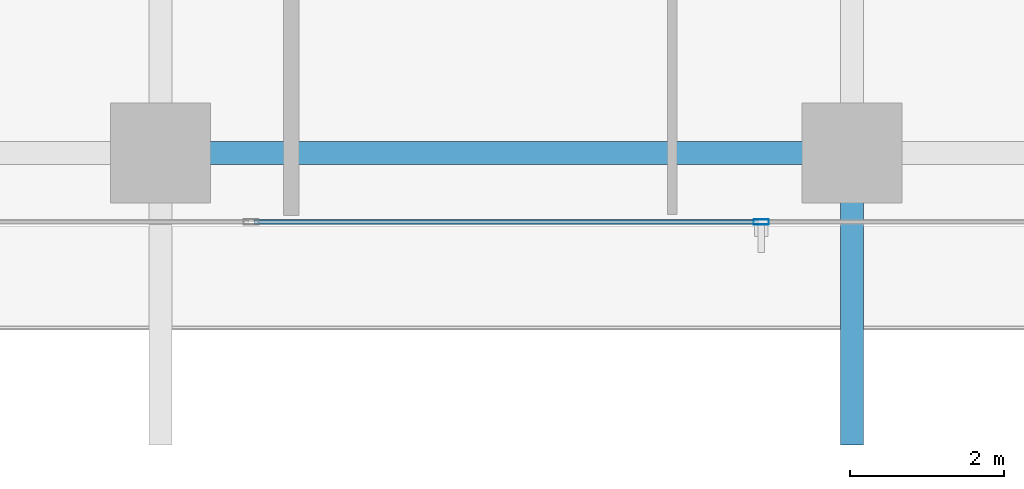
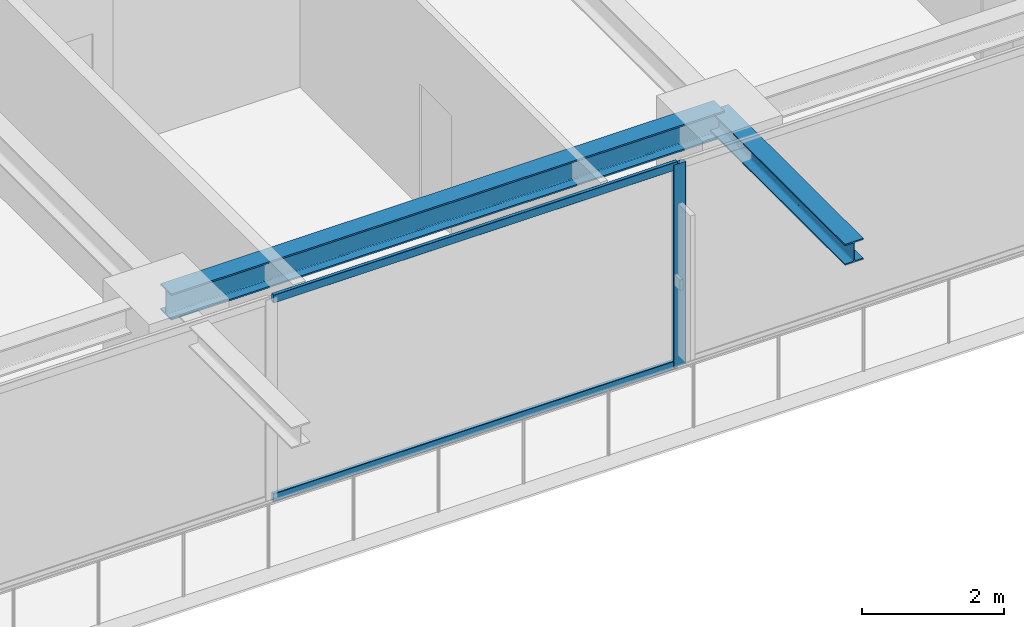
# One storey, part 6 of 39: 3 members, 2 beams, 1 element without a shape of its own.
"""IFC4 building model written with IfcOpenShell, lengths in metres."""

from ifc_helpers import new_model, si_unit, direction, frame, origin, origin_2d, place, context, subcontext, project, spatial, hollow_rectangle, i_section, extrude, source, transform, mapped, material, layer, layer_set, material_profile, profile_set, type_object, element, aggregate, save


model = new_model("IFC4")

# Units and contexts
model_context = context("Model", 3, precision=1e-05, world=origin(), true_north=direction((0.0, 1.0)))
body_context = subcontext(model_context, "Body", "Model", "MODEL_VIEW")
ifc_project = project(units=[si_unit("LENGTHUNIT", "METRE"), si_unit("AREAUNIT", "SQUARE_METRE"), si_unit("VOLUMEUNIT", "CUBIC_METRE"), si_unit("PLANEANGLEUNIT", "RADIAN"), si_unit("MASSUNIT", "GRAM", prefix="KILO")], contexts=[model_context])

# Site, building, storey
site_placement = place(None, origin())
site = spatial("IfcSite", under=ifc_project, at=site_placement, CompositionType="ELEMENT")
building_placement = place(site_placement, origin())
building = spatial("IfcBuilding", under=site, at=building_placement, Name="Serunith Strait Residences", CompositionType="ELEMENT")
storey_placement = place(building_placement, frame((0.0, 0.0, 168.89990234375)))
storey = spatial("IfcBuildingStorey", under=building, at=storey_placement, Name="L42", CompositionType="ELEMENT", Elevation=168.89990234375)

# Beams
ifc_material_1 = material(Name="Steel S355J2", Category="steel")
ifc_material_profile_1 = material_profile(ifc_material_1, i_section(OverallWidth=0.300048828125, OverallDepth=0.449951171875, WebThickness=0.013916015625, FlangeThickness=0.02587890625, FilletRadius=0.027099609375, at=origin_2d()), Name="HEB 450")
ifc_profile_set_1 = profile_set([ifc_material_profile_1], Name="Steel S355J2")
beam_type_1 = type_object("IfcBeamType", Name="BM-HEB450", PredefinedType="BEAM", material=ifc_profile_set_1)
shared_shape_1 = source(origin(), body_context, "Body", "SweptSolid", [
    extrude(i_section(OverallWidth=0.300048828125, OverallDepth=0.449951171875, WebThickness=0.013916015625, FlangeThickness=0.02587890625, FilletRadius=0.027099609375, at=origin_2d()), origin(), (0.0, 0.0, 1.0), 9.0),
])
beam_1_placement = place(storey_placement, frame((27.89990234375, 2.300048828125, 3.26220703125), z_axis=(1.0, 0.0, 0.0), x_axis=(0.0, 1.0, 0.0)))
element("IfcBeam", 1, at=beam_1_placement, inside=storey, type_object=beam_type_1, Name="L42 Perimeter Ring Beam 02", PredefinedType="BEAM", context=body_context, shape_type="MappedRepresentation", body=[
    mapped(shared_shape_1, transform((0.0, 0.0, 0.0), scale=1.0)),
])
ifc_material_profile_2 = material_profile(ifc_material_1, i_section(OverallWidth=0.300048828125, OverallDepth=0.360107421875, WebThickness=0.012451171875, FlangeThickness=0.0224609375, FilletRadius=0.027099609375, at=origin_2d()), Name="HEB 360")
ifc_profile_set_2 = profile_set([ifc_material_profile_2], Name="Steel S355J2")
beam_type_2 = type_object("IfcBeamType", Name="BM-HEB360", PredefinedType="BEAM", material=ifc_profile_set_2)
shared_shape_2 = source(origin(), body_context, "Body", "SweptSolid", [
    extrude(i_section(OverallWidth=0.300048828125, OverallDepth=0.360107421875, WebThickness=0.012451171875, FlangeThickness=0.0224609375, FilletRadius=0.027099609375, at=origin_2d()), origin(), (0.0, 0.0, 1.0), 3.800048828125),
])
beam_2_placement = place(storey_placement, frame((36.89990234375, 2.300048828125, 3.277099609375), z_axis=(0.0, -1.0, 0.0), x_axis=(1.0, 0.0, 0.0)))
element("IfcBeam", 2, at=beam_2_placement, inside=storey, type_object=beam_type_2, Name="L43 Cantilevered Balcony Rib TC-S3", PredefinedType="BEAM", context=body_context, shape_type="MappedRepresentation", body=[
    mapped(shared_shape_2, transform((0.0, 0.0, 0.0), scale=1.0)),
])

# Curtain wall, members
ifc_material_2 = material(Name="Pale-Champagne Anodised Aluminium", Category="aluminium")
ifc_layer = layer(ifc_material_2, 0.199951171875, Name="Pale-Champagne Anodised Aluminium")
ifc_layer_set = layer_set([ifc_layer], Name="Pale-Champagne Anodised Aluminium")
curtain_wall_type = type_object("IfcCurtainWallType", Name="CW-SYS2", PredefinedType="NOTDEFINED", material=ifc_layer_set)
curtain_wall_placement = place(storey_placement, origin())
curtain_wall = element("IfcCurtainWall", 3, at=curtain_wall_placement, inside=storey, type_object=curtain_wall_type, Name="L42 S Unitised Fritted Curtain Wall", PredefinedType="NOTDEFINED")
ifc_material_profile_3 = material_profile(ifc_material_2, hollow_rectangle(XDim=0.070068359375, YDim=0.199951171875, WallThickness=0.00390625, InnerFilletRadius=0.006103515625, OuterFilletRadius=0.010009765625, at=origin_2d()), Name="ALU 200x70x4")
ifc_profile_set_3 = profile_set([ifc_material_profile_3], Name="Pale-Champagne Anodised Aluminium")
member_type_1 = type_object("IfcMemberType", Name="CW-SYS2-MULL", PredefinedType="MULLION", material=ifc_profile_set_3)
shared_shape_3 = source(origin(), body_context, "Body", "SweptSolid", [
    extrude(hollow_rectangle(XDim=0.070068359375, YDim=0.199951171875, WallThickness=0.00390625, InnerFilletRadius=0.006103515625, OuterFilletRadius=0.010009765625, at=origin_2d()), origin(), (0.0, 0.0, 1.0), 3.47509765625),
])
member_1_placement = place(storey_placement, frame((35.719970703125, 1.39990234375, 0.0), z_axis=(0.0, 0.0, 1.0), x_axis=(0.0, 1.0, 0.0)))
member_1 = element("IfcMember", 4, at=member_1_placement, type_object=member_type_1, Name="CW-2 mullion 4", PredefinedType="MULLION", context=body_context, shape_type="MappedRepresentation", body=[
    mapped(shared_shape_3, transform((0.0, 0.0, 0.0), scale=1.0)),
])
ifc_material_profile_4 = material_profile(ifc_material_2, hollow_rectangle(XDim=0.06005859375, YDim=0.139892578125, WallThickness=0.00341796875, InnerFilletRadius=0.00537109375, OuterFilletRadius=0.0087890625, at=origin_2d()), Name="ALU 140x60x3.5")
ifc_profile_set_4 = profile_set([ifc_material_profile_4], Name="Pale-Champagne Anodised Aluminium")
member_type_2 = type_object("IfcMemberType", Name="CW-SYS2-TRAN", PredefinedType="USERDEFINED", material=ifc_profile_set_4)
shared_shape_4 = source(origin(), body_context, "Body", "SweptSolid", [
    extrude(hollow_rectangle(XDim=0.06005859375, YDim=0.139892578125, WallThickness=0.00341796875, InnerFilletRadius=0.00537109375, OuterFilletRadius=0.0087890625, at=origin_2d()), origin(), (0.0, 0.0, 1.0), 6.570068359375),
])
member_2_placement = place(storey_placement, frame((29.114990234375, 1.39990234375, 0.030029296875), z_axis=(1.0, 0.0, 0.0), x_axis=(0.0, 1.0, 0.0)))
member_2 = element("IfcMember", 5, at=member_2_placement, type_object=member_type_2, Name="CW-2 transom 3.1", ObjectType="TRANSOM", PredefinedType="USERDEFINED", context=body_context, shape_type="MappedRepresentation", body=[
    mapped(shared_shape_4, transform((0.0, 0.0, 0.0), scale=1.0)),
])
member_3_placement = place(storey_placement, frame((29.114990234375, 1.39990234375, 3.445068359375), z_axis=(1.0, 0.0, 0.0), x_axis=(0.0, 1.0, 0.0)))
member_3 = element("IfcMember", 6, at=member_3_placement, type_object=member_type_2, Name="CW-2 transom 3.2", ObjectType="TRANSOM", PredefinedType="USERDEFINED", context=body_context, shape_type="MappedRepresentation", body=[
    mapped(shared_shape_4, transform((0.0, 0.0, 0.0), scale=1.0)),
])
aggregate(curtain_wall, [member_1, member_2, member_3])

save(model, "model.ifc")
